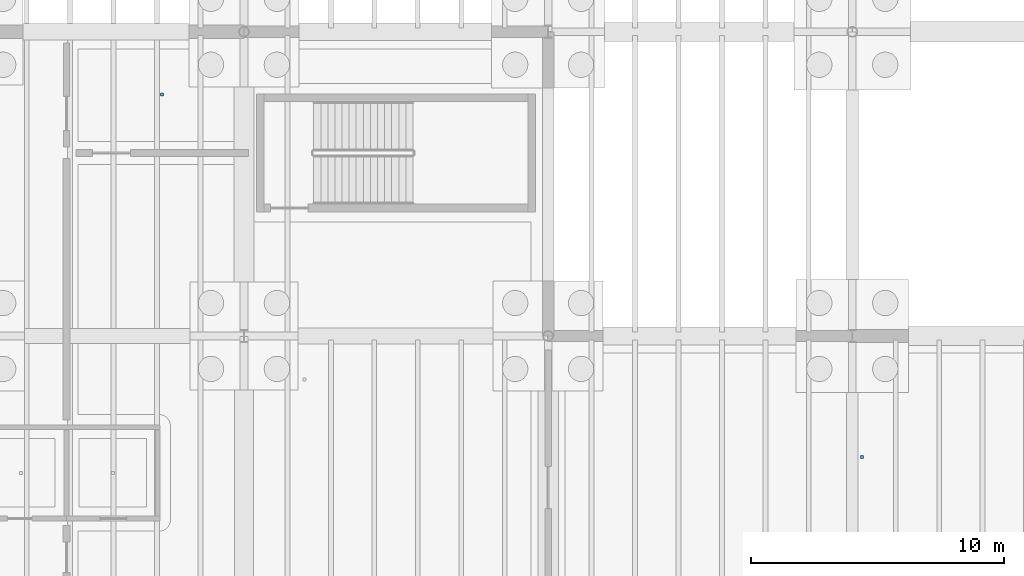
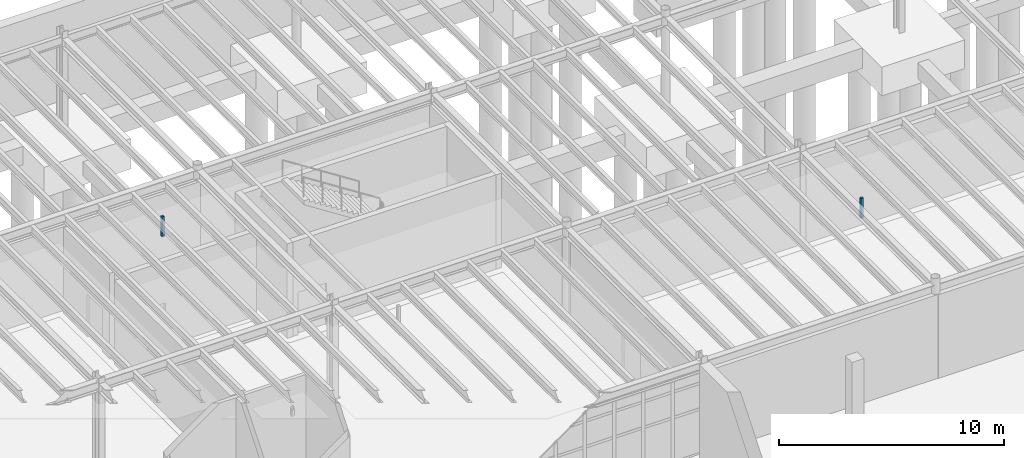
# One storey, part 44 of 67: 2 discrete accessories.
"""IFC4 building model written with IfcOpenShell, lengths in metres."""

from ifc_helpers import new_model, si_unit, direction, frame, origin, origin_2d, place, context, subcontext, project, spatial, rectangle, extrude, material, type_object, element, save


model = new_model("IFC4")

# Units and contexts
model_context = context("Model", 3, precision=1e-05, world=origin(), true_north=direction((0.0, 1.0)))
body_context = subcontext(model_context, "Body", "Model", "MODEL_VIEW")
ifc_project = project(units=[si_unit("LENGTHUNIT", "METRE"), si_unit("AREAUNIT", "SQUARE_METRE"), si_unit("VOLUMEUNIT", "CUBIC_METRE"), si_unit("PLANEANGLEUNIT", "RADIAN"), si_unit("MASSUNIT", "GRAM", prefix="KILO")], contexts=[model_context])

# Site, building, storey
site_placement = place(None, origin())
site = spatial("IfcSite", under=ifc_project, at=site_placement, CompositionType="ELEMENT")
building_placement = place(site_placement, origin())
building = spatial("IfcBuilding", under=site, at=building_placement, Name="Zlatogorsky Bluff Art Gallery", CompositionType="ELEMENT")
storey_placement = place(building_placement, frame((0.0, 0.0, -5.39990234375)))
storey = spatial("IfcBuildingStorey", under=building, at=storey_placement, Name="B1", CompositionType="ELEMENT", Elevation=-5.39990234375)

# Discrete accessories
ifc_material = material(Name="Steel S355", Category="steel")
discrete_accessory_type = type_object("IfcDiscreteAccessoryType", Name="Stainless Facade Fin Bracket BRK-01", PredefinedType="BRACKET", material=ifc_material)
for number, where, z_axis, x_axis, name in (
    (1, (32.7705078125, 105.523193359375, 4.0546875), (0.0, 0.0, 1.0), (1.0, 0.0, 0.0), "Acoustic ceiling suspension hanger B1-S1-14"),
    (2, (60.3798828125, 91.22509765625, 4.0546875), (0.0, 0.0, 1.0), (1.0, 0.0, 0.0), "Acoustic ceiling suspension hanger B1-C1-11"),
):
    element("IfcDiscreteAccessory", number, at=place(storey_placement, frame(where, z_axis=z_axis, x_axis=x_axis)), inside=storey, type_object=discrete_accessory_type, Name=name, PredefinedType="BRACKET", context=body_context, shape_type="SweptSolid", body=[
        extrude(rectangle(XDim=0.1201171875, YDim=0.1201171875, at=origin_2d()), origin(), (0.0, 0.0, 1.0), 1.090087890625),
    ])

save(model, "model.ifc")
